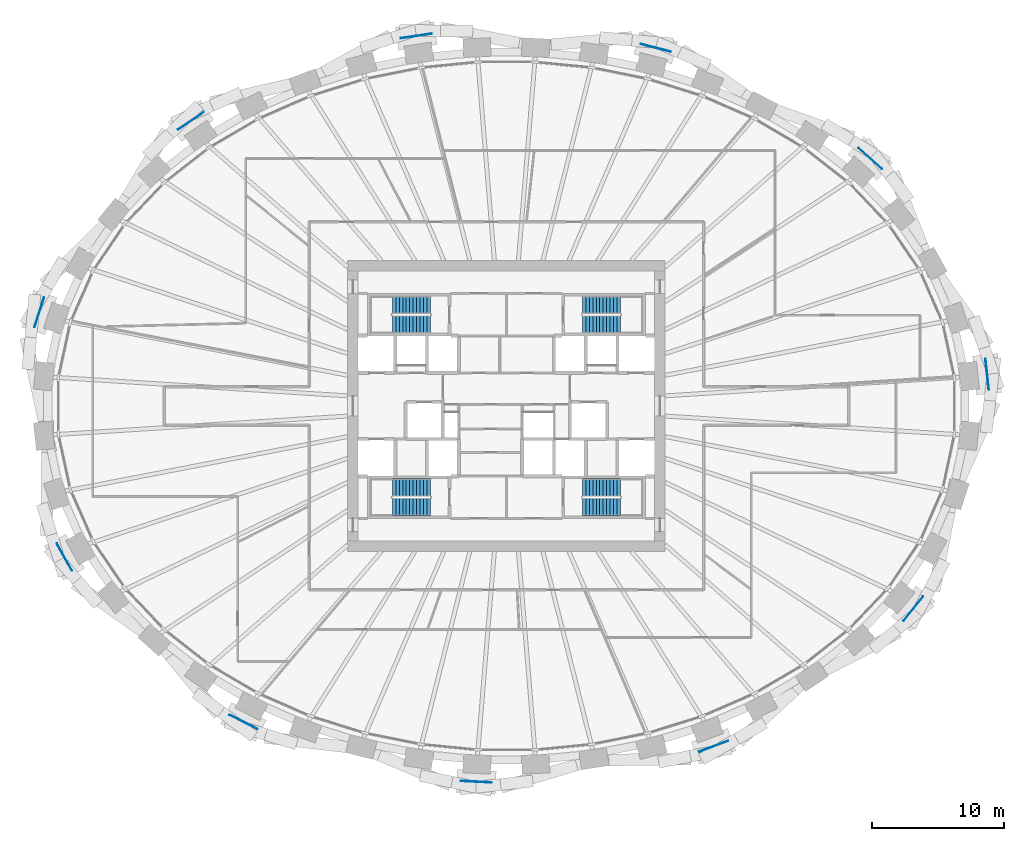
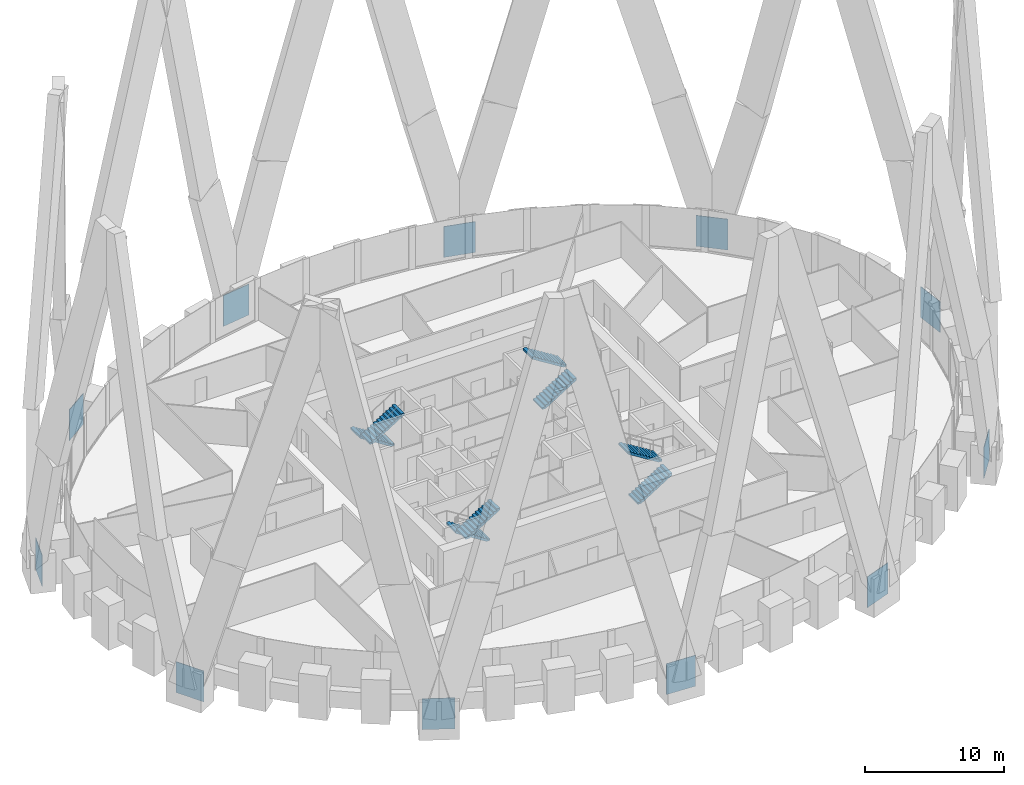
# One storey, part 11 of 12: 11 discrete accessories, 8 stair flights, 4 elements without a shape of their own.
"""IFC4 building model written with IfcOpenShell, lengths in metres."""

from ifc_helpers import new_model, si_unit, direction, frame, origin, origin_2d, place, context, subcontext, project, spatial, polyline, rectangle, outline, extrude, source, transform, mapped, material, type_object, element, aggregate, save


model = new_model("IFC4")

# Units and contexts
model_context = context("Model", 3, precision=1e-05, world=origin(), true_north=direction((0.0, 1.0)))
body_context = subcontext(model_context, "Body", "Model", "MODEL_VIEW")
ifc_project = project(units=[si_unit("LENGTHUNIT", "METRE"), si_unit("AREAUNIT", "SQUARE_METRE"), si_unit("VOLUMEUNIT", "CUBIC_METRE"), si_unit("PLANEANGLEUNIT", "RADIAN"), si_unit("MASSUNIT", "GRAM", prefix="KILO")], contexts=[model_context])

# Site, building, storey
site_placement = place(None, origin())
site = spatial("IfcSite", under=ifc_project, at=site_placement, CompositionType="ELEMENT")
building_placement = place(site_placement, origin())
building = spatial("IfcBuilding", under=site, at=building_placement, Name="Embergate Tower", CompositionType="ELEMENT")
storey_placement = place(building_placement, frame((0.0, 0.0, 222.89990234375)))
storey = spatial("IfcBuildingStorey", under=building, at=storey_placement, Name="L51", CompositionType="ELEMENT", Elevation=222.89990234375)

# Stair, stair flights
ifc_material_1 = material(Name="Exit stair")
stair_type = type_object("IfcStairType", Name="Exit stair", PredefinedType="HALF_TURN_STAIR", material=ifc_material_1)
stair_1_placement = place(storey_placement, origin())
stair_1 = element("IfcStair", 1, at=stair_1_placement, inside=storey, type_object=stair_type, Name="L51 Exit stair 1", PredefinedType="HALF_TURN_STAIR")
ifc_material_2 = material(Name="Concrete C40", Category="concrete")
stair_flight_type = type_object("IfcStairFlightType", Name="Stair flight reinforced concrete", PredefinedType="STRAIGHT", material=ifc_material_2)
shared_shape_1 = source(origin(), body_context, "Body", "SweptSolid", [
    extrude(outline(polyline([(0.0, 0.0), (0.0, 0.16259765625), (0.260009765625, 0.16259765625), (0.260009765625, 0.324951171875), (0.52001953125, 0.324951171875), (0.52001953125, 0.487548828125), (0.780029296875, 0.487548828125), (0.780029296875, 0.64990234375), (1.0400390625, 0.64990234375), (1.0400390625, 0.8125), (1.300048828125, 0.8125), (1.300048828125, 0.97509765625), (1.56005859375, 0.97509765625), (1.56005859375, 1.137451171875), (1.820068359375, 1.137451171875), (1.820068359375, 1.300048828125), (2.080078125, 1.300048828125), (2.080078125, 1.46240234375), (2.340087890625, 1.46240234375), (2.340087890625, 1.625), (2.60009765625, 1.625), (2.60009765625, 1.78759765625), (2.860107421875, 1.78759765625), (2.860107421875, 1.949951171875), (2.860107421875, 1.61083984375), (0.28271484375, 0.0), (0.0, 0.0)])), frame((0.0, 0.675048828125, 0.0), z_axis=(0.0, -1.0, 0.0), x_axis=(1.0, 0.0, 0.0)), (0.0, 0.0, 1.0), 1.35009765625),
])
stair_flight_1_placement = place(storey_placement, frame((-5.75, 7.625, 0.0), z_axis=(0.0, 0.0, 1.0), x_axis=(-1.0, 0.0, 0.0)))
stair_flight_1 = element("IfcStairFlight", 2, at=stair_flight_1_placement, type_object=stair_flight_type, Name="ST1 flight 1", NumberOfRisers=12, NumberOfTreads=11, PredefinedType="STRAIGHT", RiserHeight=0.1625, TreadLength=0.26, context=body_context, shape_type="MappedRepresentation", body=[
    mapped(shared_shape_1, transform((0.0, 0.0, 0.0))),
])
stair_flight_2_placement = place(storey_placement, frame((-8.610107421875, 6.175048828125, 1.9501953125), z_axis=(0.0, 0.0, 1.0), x_axis=(1.0, 0.0, 0.0)))
stair_flight_2 = element("IfcStairFlight", 3, at=stair_flight_2_placement, type_object=stair_flight_type, Name="ST1 flight 2", NumberOfRisers=12, NumberOfTreads=11, PredefinedType="STRAIGHT", RiserHeight=0.1625, TreadLength=0.26, context=body_context, shape_type="MappedRepresentation", body=[
    mapped(shared_shape_1, transform((0.0, 0.0, 0.0))),
])
aggregate(stair_1, [stair_flight_1, stair_flight_2])

stair_2_placement = place(storey_placement, origin())
stair_2 = element("IfcStair", 4, at=stair_2_placement, inside=storey, type_object=stair_type, Name="L51 Exit stair 2", PredefinedType="HALF_TURN_STAIR")
stair_flight_3_placement = place(storey_placement, frame((5.75, 6.175048828125, 0.0), z_axis=(0.0, 0.0, 1.0), x_axis=(1.0, 0.0, 0.0)))
stair_flight_3 = element("IfcStairFlight", 5, at=stair_flight_3_placement, type_object=stair_flight_type, Name="ST2 flight 1", NumberOfRisers=12, NumberOfTreads=11, PredefinedType="STRAIGHT", RiserHeight=0.1625, TreadLength=0.26, context=body_context, shape_type="MappedRepresentation", body=[
    mapped(shared_shape_1, transform((0.0, 0.0, 0.0))),
])
stair_flight_4_placement = place(storey_placement, frame((8.610107421875, 7.625, 1.9501953125), z_axis=(0.0, 0.0, 1.0), x_axis=(-1.0, 0.0, 0.0)))
stair_flight_4 = element("IfcStairFlight", 6, at=stair_flight_4_placement, type_object=stair_flight_type, Name="ST2 flight 2", NumberOfRisers=12, NumberOfTreads=11, PredefinedType="STRAIGHT", RiserHeight=0.1625, TreadLength=0.26, context=body_context, shape_type="MappedRepresentation", body=[
    mapped(shared_shape_1, transform((0.0, 0.0, 0.0))),
])
aggregate(stair_2, [stair_flight_3, stair_flight_4])

stair_3_placement = place(storey_placement, origin())
stair_3 = element("IfcStair", 7, at=stair_3_placement, inside=storey, type_object=stair_type, Name="L51 Exit stair 3", PredefinedType="HALF_TURN_STAIR")
stair_flight_5_placement = place(storey_placement, frame((-5.75, -6.175048828125, 0.0), z_axis=(0.0, 0.0, 1.0), x_axis=(-1.0, 0.0, 0.0)))
stair_flight_5 = element("IfcStairFlight", 8, at=stair_flight_5_placement, type_object=stair_flight_type, Name="ST3 flight 1", NumberOfRisers=12, NumberOfTreads=11, PredefinedType="STRAIGHT", RiserHeight=0.1625, TreadLength=0.26, context=body_context, shape_type="MappedRepresentation", body=[
    mapped(shared_shape_1, transform((0.0, 0.0, 0.0))),
])
stair_flight_6_placement = place(storey_placement, frame((-8.610107421875, -7.625, 1.9501953125), z_axis=(0.0, 0.0, 1.0), x_axis=(1.0, 0.0, 0.0)))
stair_flight_6 = element("IfcStairFlight", 9, at=stair_flight_6_placement, type_object=stair_flight_type, Name="ST3 flight 2", NumberOfRisers=12, NumberOfTreads=11, PredefinedType="STRAIGHT", RiserHeight=0.1625, TreadLength=0.26, context=body_context, shape_type="MappedRepresentation", body=[
    mapped(shared_shape_1, transform((0.0, 0.0, 0.0))),
])
aggregate(stair_3, [stair_flight_5, stair_flight_6])

stair_4_placement = place(storey_placement, origin())
stair_4 = element("IfcStair", 10, at=stair_4_placement, inside=storey, type_object=stair_type, Name="L51 Exit stair 4", PredefinedType="HALF_TURN_STAIR")
stair_flight_7_placement = place(storey_placement, frame((5.75, -7.625, 0.0), z_axis=(0.0, 0.0, 1.0), x_axis=(1.0, 0.0, 0.0)))
stair_flight_7 = element("IfcStairFlight", 11, at=stair_flight_7_placement, type_object=stair_flight_type, Name="ST4 flight 1", NumberOfRisers=12, NumberOfTreads=11, PredefinedType="STRAIGHT", RiserHeight=0.1625, TreadLength=0.26, context=body_context, shape_type="MappedRepresentation", body=[
    mapped(shared_shape_1, transform((0.0, 0.0, 0.0))),
])
stair_flight_8_placement = place(storey_placement, frame((8.610107421875, -6.175048828125, 1.9501953125), z_axis=(0.0, 0.0, 1.0), x_axis=(-1.0, 0.0, 0.0)))
stair_flight_8 = element("IfcStairFlight", 12, at=stair_flight_8_placement, type_object=stair_flight_type, Name="ST4 flight 2", NumberOfRisers=12, NumberOfTreads=11, PredefinedType="STRAIGHT", RiserHeight=0.1625, TreadLength=0.26, context=body_context, shape_type="MappedRepresentation", body=[
    mapped(shared_shape_1, transform((0.0, 0.0, 0.0))),
])
aggregate(stair_4, [stair_flight_7, stair_flight_8])

# Discrete accessories
ifc_material_3 = material(Name="Steel Q355D plate", Category="steel")
discrete_accessory_type = type_object("IfcDiscreteAccessoryType", Name="Lattice node plate", PredefinedType="USERDEFINED", material=ifc_material_3)
shared_shape_2 = source(origin(), body_context, "Body", "SweptSolid", [
    extrude(rectangle(XDim=2.360107421875, YDim=0.050048828125, at=origin_2d()), origin(), (0.0, 0.0, 1.0), 2.719970703125),
])
for number, where, z_axis, x_axis, name in (
    (13, (36.326904296875, 2.39892578125, -1.35986328125), (0.0, 0.0, 1.0), (-0.106749983816, 0.99428589498, 0.0), "Node plate"),
    (14, (27.49609375, 18.68701171875, -1.35986328125), (0.0, 0.0, 1.0), (-0.743063070206, 0.669221393633, 0.0), "Node plate"),
    (15, (11.284912109375, 27.053955078125, -1.35986328125), (0.0, 0.0, 1.0), (-0.969140624713, 0.24650851817, 0.0), "Node plate"),
    (16, (-6.81201171875, 27.951904296875, -1.35986328125), (0.0, 0.0, 1.0), (-0.989147039346, -0.146929011949, 0.0), "Node plate"),
    (17, (-23.840087890625, 21.5419921875, -1.35986328125), (0.0, 0.0, 1.0), (-0.828226643109, -0.560393279442, 0.0), "Node plate"),
    (18, (-35.297119140625, 7.071044921875, -1.35986328125), (0.0, 0.0, 1.0), (-0.309946394413, -0.950754033697, 0.0), "Node plate"),
    (19, (-33.388916015625, -11.424072265625, -1.35986328125), (0.0, 0.0, 1.0), (0.486823311018, -0.873500465855, 0.0), "Node plate"),
    (20, (-19.864990234375, -23.87890625, -1.35986328125), (0.0, 0.0, 1.0), (0.891505174089, -0.453010512651, 0.0), "Node plate"),
    (21, (-2.277099609375, -28.39697265625, -1.35986328125), (0.0, 0.0, 1.0), (0.998807841912, -0.048814904854, 0.0), "Node plate"),
    (22, (15.658935546875, -25.718017578125, -1.35986328125), (0.0, 0.0, 1.0), (0.93736713373, 0.348343015724, 0.0), "Node plate"),
    (23, (30.739013671875, -15.322021484375, -1.35986328125), (0.0, 0.0, 1.0), (0.630824786022, 0.775925311702, 0.0), "Node plate"),
):
    element("IfcDiscreteAccessory", number, at=place(storey_placement, frame(where, z_axis=z_axis, x_axis=x_axis)), inside=storey, type_object=discrete_accessory_type, Name=name, ObjectType="BRACKET", PredefinedType="USERDEFINED", context=body_context, shape_type="MappedRepresentation", body=[
        mapped(shared_shape_2, transform((0.0, 0.0, 0.0))),
    ])

save(model, "model.ifc")
